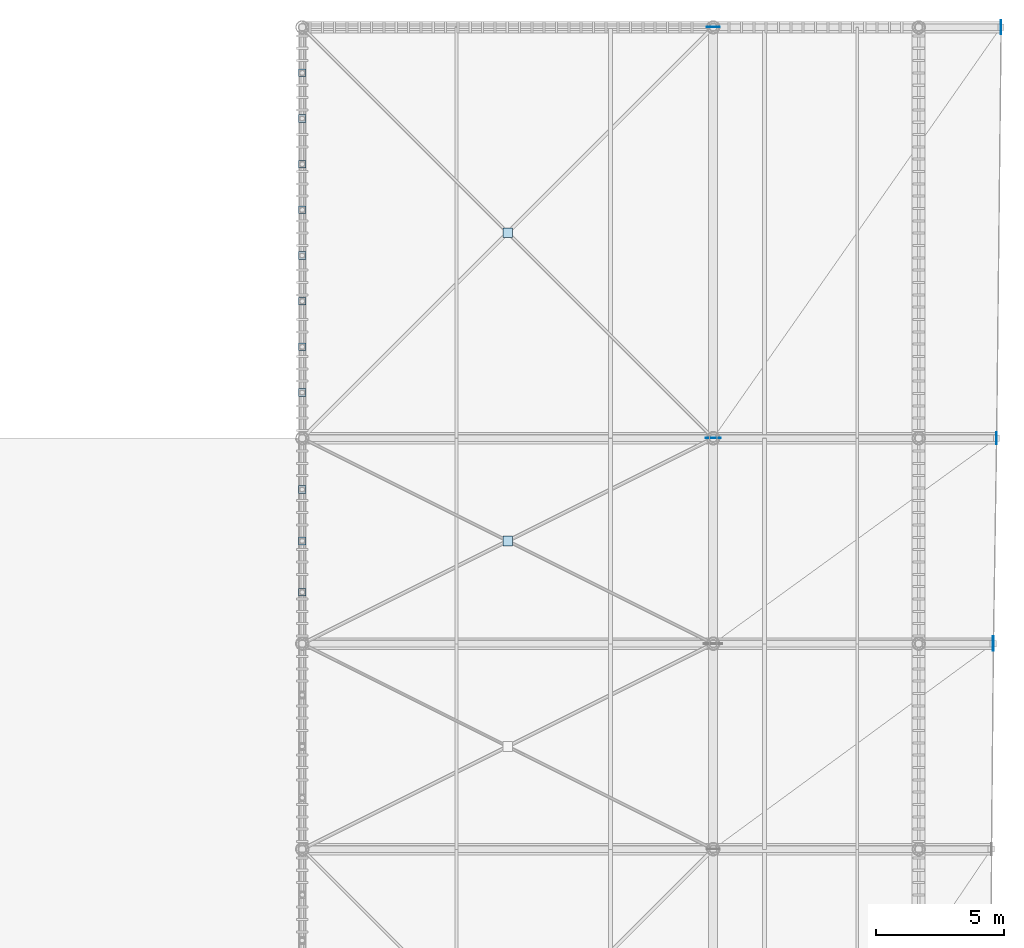
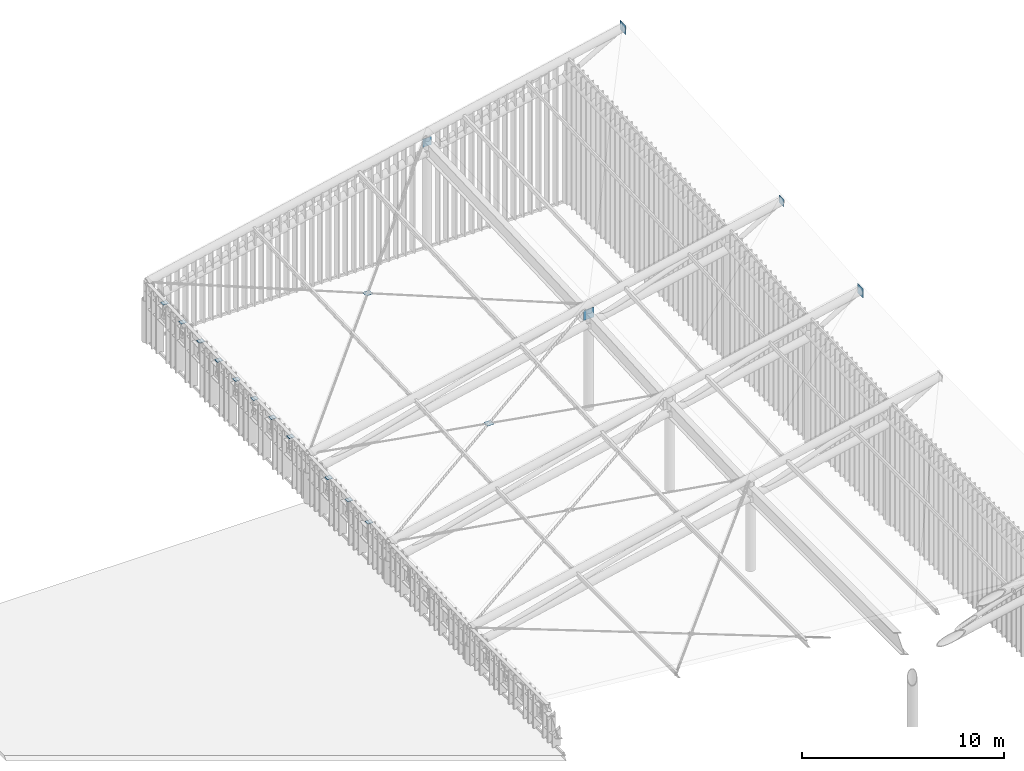
# One storey, part 22 of 25: 18 plates.
"""IFC4 building model written with IfcOpenShell, lengths in metres."""

from ifc_helpers import new_model, si_unit, direction, frame, origin, origin_2d, place, context, subcontext, project, spatial, rectangle, extrude, material, layer, layer_set, type_object, element, save


model = new_model("IFC4")

# Units and contexts
model_context = context("Model", 3, precision=1e-05, world=origin(), true_north=direction((0.0, 1.0)))
body_context = subcontext(model_context, "Body", "Model", "MODEL_VIEW")
ifc_project = project(units=[si_unit("LENGTHUNIT", "METRE"), si_unit("AREAUNIT", "SQUARE_METRE"), si_unit("VOLUMEUNIT", "CUBIC_METRE"), si_unit("PLANEANGLEUNIT", "RADIAN"), si_unit("MASSUNIT", "GRAM", prefix="KILO")], contexts=[model_context])

# Site, building, storey
site_placement = place(None, origin())
site = spatial("IfcSite", under=ifc_project, at=site_placement, CompositionType="ELEMENT")
building_placement = place(site_placement, origin())
building = spatial("IfcBuilding", under=site, at=building_placement, Name="Haebicheon Civic Stadium", CompositionType="ELEMENT")
storey_placement = place(building_placement, frame((0.0, 0.0, 31.199951171875)))
storey = spatial("IfcBuildingStorey", under=building, at=storey_placement, Name="RF", CompositionType="ELEMENT", Elevation=31.199951171875)

# Plates
ifc_material_1 = material(Name="White painted steel SM490", Category="steel")
ifc_layer_1 = layer(ifc_material_1, 0.013916015625, Name="White painted steel SM490")
ifc_layer_set_1 = layer_set([ifc_layer_1], Name="White painted steel SM490")
plate_type_1 = type_object("IfcPlateType", Name="PLT-CAP-14", PredefinedType="SHEET", material=ifc_layer_set_1)
for number, where, z_axis, x_axis, name in (
    (1, (48.0, 114.0, 2.37890625), (0.0, 0.0, 1.0), (1.0, 0.0, 0.0), "CAN-WEST hanger clevis cap plate 7.1"),
    (2, (48.0, 116.0, 2.5), (0.0, 0.0, 1.0), (1.0, 0.0, 0.0), "CAN-WEST hanger clevis cap plate 7.2"),
    (3, (48.0, 118.0, 2.6201171875), (0.0, 0.0, 1.0), (1.0, 0.0, 0.0), "CAN-WEST hanger clevis cap plate 7.3"),
    (4, (48.0, 121.778076171875, 2.81494140625), (0.0, 0.0, 1.0), (1.0, 0.0, 0.0), "CAN-WEST hanger clevis cap plate 8.1"),
    (5, (48.0, 123.555908203125, 2.89013671875), (0.0, 0.0, 1.0), (1.0, 0.0, 0.0), "CAN-WEST hanger clevis cap plate 8.2"),
    (6, (48.0, 125.3330078125, 2.96533203125), (0.0, 0.0, 1.0), (1.0, 0.0, 0.0), "CAN-WEST hanger clevis cap plate 8.3"),
    (7, (48.0, 127.111083984375, 3.0400390625), (0.0, 0.0, 1.0), (1.0, 0.0, 0.0), "CAN-WEST hanger clevis cap plate 8.4"),
    (8, (48.0, 128.888916015625, 3.1142578125), (0.0, 0.0, 1.0), (1.0, 0.0, 0.0), "CAN-WEST hanger clevis cap plate 8.5"),
    (9, (48.0, 130.6669921875, 3.18896484375), (0.0, 0.0, 1.0), (1.0, 0.0, 0.0), "CAN-WEST hanger clevis cap plate 8.6"),
    (10, (48.0, 132.444091796875, 3.26416015625), (0.0, 0.0, 1.0), (1.0, 0.0, 0.0), "CAN-WEST hanger clevis cap plate 8.7"),
    (11, (48.0, 134.221923828125, 3.3388671875), (0.0, 0.0, 1.0), (1.0, 0.0, 0.0), "CAN-WEST hanger clevis cap plate 8.8"),
):
    element("IfcPlate", number, at=place(storey_placement, frame(where, z_axis=z_axis, x_axis=x_axis)), inside=storey, type_object=plate_type_1, material=ifc_layer_set_1, Name=name, PredefinedType="SHEET", context=body_context, shape_type="SweptSolid", body=[
        extrude(rectangle(XDim=0.300048828125, YDim=0.300048828125, at=origin_2d()), origin(), (0.0, 0.0, 1.0), 0.013916015625),
    ])
ifc_material_2 = material(Name="White painted steel SM490", Category="steel")
ifc_layer_2 = layer(ifc_material_2, 0.02001953125, Name="White painted steel SM490")
ifc_layer_set_2 = layer_set([ifc_layer_2], Name="White painted steel SM490")
plate_type_2 = type_object("IfcPlateType", Name="PLT-CAP-20", PredefinedType="SHEET", material=ifc_layer_set_2)
plate_1_placement = place(storey_placement, frame((75.02490234375, 120.0, 8.427001953125), z_axis=(0.0, 0.0, 1.0), x_axis=(0.0, 1.0, 0.0)))
element("IfcPlate", 12, at=plate_1_placement, inside=storey, type_object=plate_type_2, material=ifc_layer_set_2, Name="CAN-WEST tip end-cap plate 8", PredefinedType="SHEET", context=body_context, shape_type="SweptSolid", body=[
    extrude(rectangle(XDim=0.4599609375, YDim=0.02001953125, at=origin_2d()), origin(), (0.0, 0.0, 1.0), 0.4599609375),
])
ifc_material_3 = material(Name="White painted steel SM490", Category="steel")
ifc_layer_3 = layer(ifc_material_3, 0.02587890625, Name="White painted steel SM490")
ifc_layer_set_3 = layer_set([ifc_layer_3], Name="White painted steel SM490")
plate_type_3 = type_object("IfcPlateType", Name="PLT-CAP-26", PredefinedType="SHEET", material=ifc_layer_set_3)
for number, where, z_axis, x_axis, name in (
    (13, (74.89990234375, 112.0, 7.869140625), (0.0, 0.0, 1.0), (0.0, 1.0, 0.0), "CAN-WEST tip end-cap plate 7"),
    (14, (75.199951171875, 136.0, 9.089111328125), (0.0, 0.0, 1.0), (0.0, 1.0, 0.0), "CAN-WEST tip end-cap plate 9"),
):
    element("IfcPlate", number, at=place(storey_placement, frame(where, z_axis=z_axis, x_axis=x_axis)), inside=storey, type_object=plate_type_3, material=ifc_layer_set_3, Name=name, PredefinedType="SHEET", context=body_context, shape_type="SweptSolid", body=[
        extrude(rectangle(XDim=0.56005859375, YDim=0.02587890625, at=origin_2d()), origin(), (0.0, 0.0, 1.0), 0.56005859375),
    ])
ifc_material_4 = material(Name="White painted steel SM490", Category="steel")
ifc_layer_4 = layer(ifc_material_4, 0.01806640625, Name="White painted steel SM490")
ifc_layer_set_4 = layer_set([ifc_layer_4], Name="White painted steel SM490")
plate_type_4 = type_object("IfcPlateType", Name="PLT-GUS-18", PredefinedType="USERDEFINED", material=ifc_layer_set_4)
plate_2_placement = place(storey_placement, frame((64.0, 136.0, 6.135986328125), z_axis=(0.0, 0.0, 1.0), x_axis=(1.0, 0.0, 0.0)))
element("IfcPlate", 15, at=plate_2_placement, inside=storey, type_object=plate_type_4, material=ifc_layer_set_4, Name="CAN-WEST heel node gusset plate KN-T09", ObjectType="GUSSET PLATE", PredefinedType="USERDEFINED", context=body_context, shape_type="SweptSolid", body=[
    extrude(rectangle(XDim=0.5, YDim=0.01806640625, at=origin_2d()), origin(), (0.0, 0.0, 1.0), 0.5),
])
ifc_material_5 = material(Name="White painted steel SM490", Category="steel")
ifc_layer_5 = layer(ifc_material_5, 0.02392578125, Name="White painted steel SM490")
ifc_layer_set_5 = layer_set([ifc_layer_5], Name="White painted steel SM490")
plate_type_5 = type_object("IfcPlateType", Name="PLT-GUS-24", PredefinedType="USERDEFINED", material=ifc_layer_set_5)
plate_3_placement = place(storey_placement, frame((64.0, 120.0, 5.412109375), z_axis=(0.0, 0.0, 1.0), x_axis=(1.0, 0.0, 0.0)))
element("IfcPlate", 16, at=plate_3_placement, inside=storey, type_object=plate_type_5, material=ifc_layer_set_5, Name="CAN-WEST heel node gusset plate KN-T08", ObjectType="GUSSET PLATE", PredefinedType="USERDEFINED", context=body_context, shape_type="SweptSolid", body=[
    extrude(rectangle(XDim=0.60009765625, YDim=0.02392578125, at=origin_2d()), origin(), (0.0, 0.0, 1.0), 0.60009765625),
])
ifc_material_6 = material(Name="White painted steel SM490", Category="steel")
ifc_layer_6 = layer(ifc_material_6, 0.013916015625, Name="White painted steel SM490")
ifc_layer_set_6 = layer_set([ifc_layer_6], Name="White painted steel SM490")
plate_type_6 = type_object("IfcPlateType", Name="PLT-XND-14", PredefinedType="SHEET", material=ifc_layer_set_6)
for number, where, z_axis, x_axis, name in (
    (17, (56.0, 116.0, 4.31884765625), (0.0, 0.0, 1.0), (1.0, 0.0, 0.0), "CAN-WEST X-brace crossing gusset plate 7"),
    (18, (56.0, 128.0, 4.89697265625), (0.0, 0.0, 1.0), (1.0, 0.0, 0.0), "CAN-WEST X-brace crossing gusset plate 8"),
):
    element("IfcPlate", number, at=place(storey_placement, frame(where, z_axis=z_axis, x_axis=x_axis)), inside=storey, type_object=plate_type_6, material=ifc_layer_set_6, Name=name, PredefinedType="SHEET", context=body_context, shape_type="SweptSolid", body=[
        extrude(rectangle(XDim=0.3798828125, YDim=0.3798828125, at=origin_2d()), origin(), (0.0, 0.0, 1.0), 0.013916015625),
    ])

save(model, "model.ifc")
